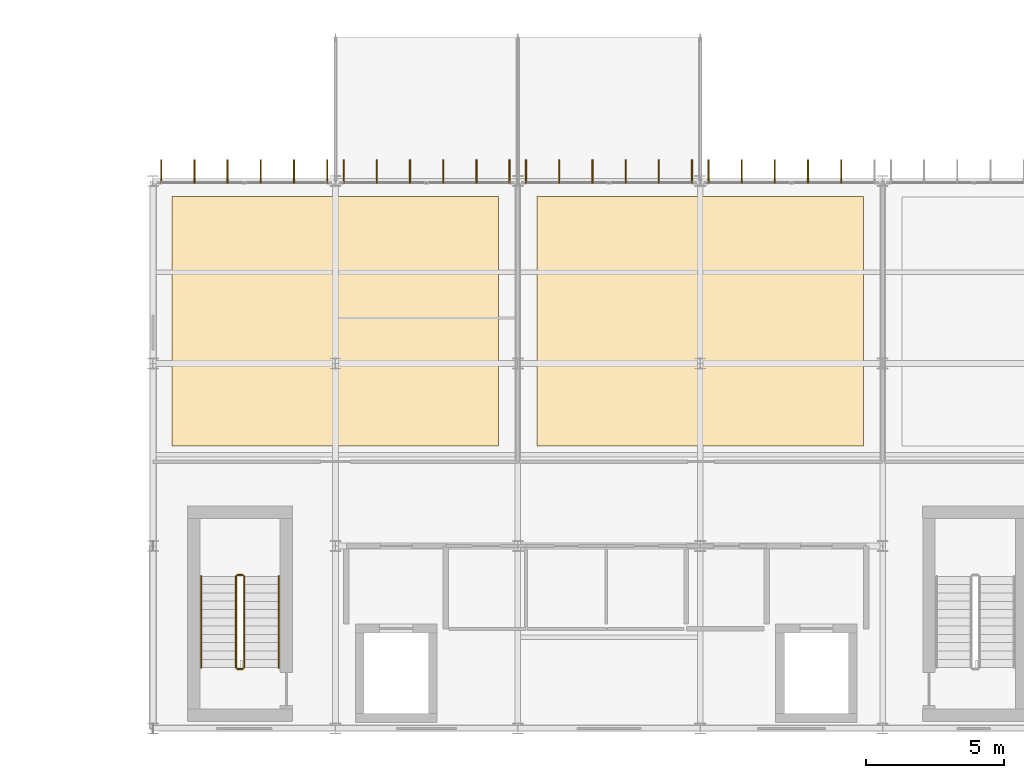
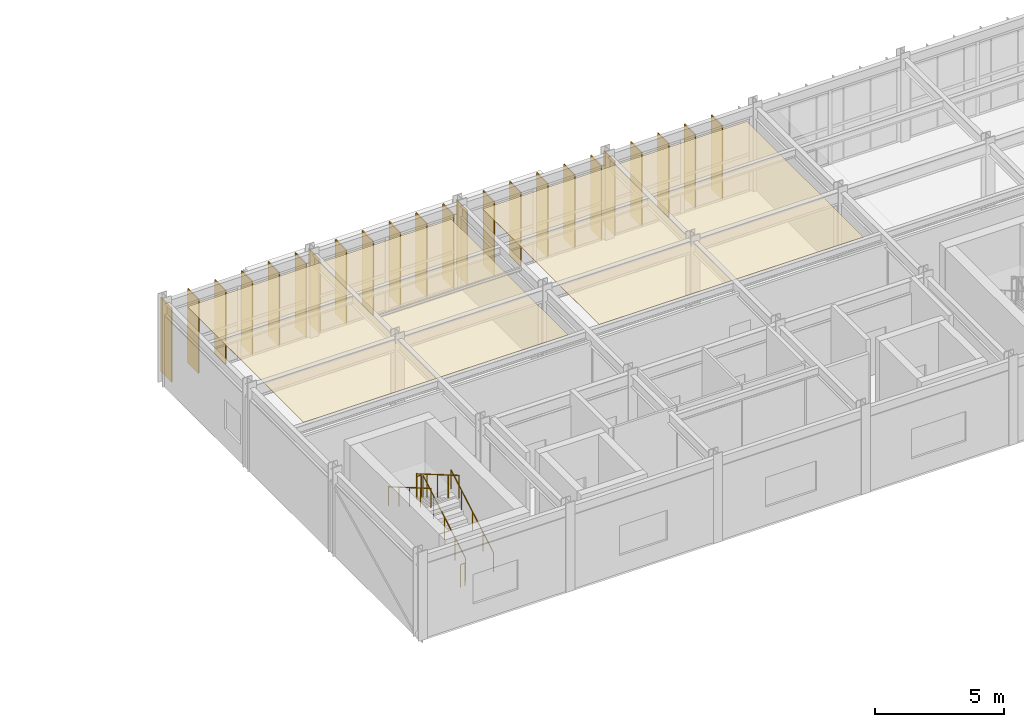
# One storey, part 138 of 148: 23 shading devices, 6 railings, 2 coverings.
"""IFC4 building model written with IfcOpenShell, lengths in metres."""

from ifc_helpers import new_model, si_unit, direction, frame, origin, origin_2d, place, context, subcontext, project, spatial, polyline, rectangle, circle, outline, extrude, material, layer, layer_set, type_object, element, save


model = new_model("IFC4")

# Units and contexts
model_context = context("Model", 3, precision=1e-05, world=origin(), true_north=direction((0.0, 1.0)))
body_context = subcontext(model_context, "Body", "Model", "MODEL_VIEW")
ifc_project = project(units=[si_unit("LENGTHUNIT", "METRE"), si_unit("AREAUNIT", "SQUARE_METRE"), si_unit("VOLUMEUNIT", "CUBIC_METRE"), si_unit("PLANEANGLEUNIT", "RADIAN"), si_unit("MASSUNIT", "GRAM", prefix="KILO")], contexts=[model_context])

# Site, building, storey
site_placement = place(None, origin())
site = spatial("IfcSite", under=ifc_project, at=site_placement, CompositionType="ELEMENT")
building_placement = place(site_placement, origin())
building = spatial("IfcBuilding", under=site, at=building_placement, Name="Karori Crest Natural Sciences Institute", CompositionType="ELEMENT")
storey_placement = place(building_placement, frame((0.0, 0.0, 4.89990234375)))
storey = spatial("IfcBuildingStorey", under=building, at=storey_placement, Name="L01", CompositionType="ELEMENT", Elevation=4.89990234375)

# Coverings
ifc_material_1 = material(Name="Acoustic mineral fibre ceiling tile")
ifc_layer_1 = layer(ifc_material_1, 0.02490234375, Name="Acoustic mineral fibre ceiling tile")
ifc_layer_set_1 = layer_set([ifc_layer_1], Name="Acoustic mineral fibre ceiling tile")
covering_type = type_object("IfcCoveringType", Name="CVT-CEIL", PredefinedType="CEILING", material=ifc_layer_set_1)
covering_1_placement = place(storey_placement, frame((0.0, 0.0, 3.705078125)))
element("IfcCovering", 1, at=covering_1_placement, inside=storey, type_object=covering_type, Name="Acoustic ceiling CLG-0006", PredefinedType="CEILING", context=body_context, shape_type="SweptSolid", body=[
    extrude(outline(polyline([(104.29638671875, 20.03515625), (104.29638671875, 11.014892578125), (116.103759765625, 11.014892578125), (116.103759765625, 20.03515625), (104.29638671875, 20.03515625)])), origin(), (0.0, 0.0, 1.0), 0.02490234375),
])
covering_2_placement = place(storey_placement, frame((0.0, 0.0, 3.705078125)))
element("IfcCovering", 2, at=covering_2_placement, inside=storey, type_object=covering_type, Name="Acoustic ceiling CLG-0007", PredefinedType="CEILING", context=body_context, shape_type="SweptSolid", body=[
    extrude(outline(polyline([(117.496337890625, 20.03515625), (117.496337890625, 11.014892578125), (129.3037109375, 11.014892578125), (129.3037109375, 20.03515625), (117.496337890625, 20.03515625)])), origin(), (0.0, 0.0, 1.0), 0.02490234375),
])

# Railings
ifc_material_2 = material(Name="Stainless steel 316 tubular handrail", Category="steel")
railing_type_1 = type_object("IfcRailingType", Name="RLT-HND", PredefinedType="HANDRAIL", material=ifc_material_2)
railing_1_placement = place(storey_placement, frame((108.14990234375, 3.0, 0.175048828125)))
element("IfcRailing", 3, at=railing_1_placement, inside=storey, type_object=railing_type_1, Name="Stair handrail RL-0109", PredefinedType="HANDRAIL", context=body_context, shape_type="SweptSolid", body=[
    extrude(circle(Radius=0.02392578125, at=origin_2d()), frame((0.0, 0.0, 0.90087890625), z_axis=(0.0, 0.863776583165, 0.503874998761), x_axis=(-1.0, 0.0, 0.0)), (0.0, 0.0, 1.0), 3.820556640625),
    extrude(circle(Radius=0.02099609375, at=origin_2d()), origin(), (0.0, 0.0, 1.0), 0.876953125),
    extrude(circle(Radius=0.02099609375, at=origin_2d()), frame((0.0, 0.824951171875, 0.481201171875)), (0.0, 0.0, 1.0), 0.876953125),
    extrude(circle(Radius=0.02099609375, at=origin_2d()), frame((0.0, 1.64990234375, 0.96240234375)), (0.0, 0.0, 1.0), 0.876953125),
    extrude(circle(Radius=0.02099609375, at=origin_2d()), frame((0.0, 2.47509765625, 1.44384765625)), (0.0, 0.0, 1.0), 0.876953125),
    extrude(circle(Radius=0.02099609375, at=origin_2d()), frame((0.0, 3.300048828125, 1.925048828125)), (0.0, 0.0, 1.0), 0.876953125),
])
railing_2_placement = place(storey_placement, frame((105.35009765625, 6.300048828125, 2.275146484375)))
element("IfcRailing", 4, at=railing_2_placement, inside=storey, type_object=railing_type_1, Name="Stair handrail RL-0110", PredefinedType="HANDRAIL", context=body_context, shape_type="SweptSolid", body=[
    extrude(circle(Radius=0.02392578125, at=origin_2d()), frame((0.0, 0.0, 0.90087890625), z_axis=(0.0, -0.863776583165, 0.503874998761), x_axis=(1.0, 0.0, 0.0)), (0.0, 0.0, 1.0), 3.820556640625),
    extrude(circle(Radius=0.02099609375, at=origin_2d()), origin(), (0.0, 0.0, 1.0), 0.876953125),
    extrude(circle(Radius=0.02099609375, at=origin_2d()), frame((0.0, -0.824951171875, 0.481201171875)), (0.0, 0.0, 1.0), 0.876953125),
    extrude(circle(Radius=0.02099609375, at=origin_2d()), frame((0.0, -1.64990234375, 0.96240234375)), (0.0, 0.0, 1.0), 0.876953125),
    extrude(circle(Radius=0.02099609375, at=origin_2d()), frame((0.0, -2.47509765625, 1.44384765625)), (0.0, 0.0, 1.0), 0.876953125),
    extrude(circle(Radius=0.02099609375, at=origin_2d()), frame((0.0, -3.300048828125, 1.925048828125)), (0.0, 0.0, 1.0), 0.876953125),
])
ifc_material_3 = material(Name="Stainless steel 316 stair guard", Category="steel")
railing_type_2 = type_object("IfcRailingType", Name="RLT-STG", PredefinedType="GUARDRAIL", material=ifc_material_3)
railing_3_placement = place(storey_placement, frame((106.89990234375, 3.0, 0.175048828125)))
element("IfcRailing", 5, at=railing_3_placement, inside=storey, type_object=railing_type_2, Name="Stair guard RL-0105", PredefinedType="GUARDRAIL", context=body_context, shape_type="SweptSolid", body=[
    extrude(circle(Radius=0.02392578125, at=origin_2d()), frame((0.0, 0.0, 1.076171875), z_axis=(0.0, 0.863776583165, 0.503874998761), x_axis=(-1.0, 0.0, 0.0)), (0.0, 0.0, 1.0), 3.820556640625),
    extrude(circle(Radius=0.02099609375, at=origin_2d()), origin(), (0.0, 0.0, 1.0), 1.052001953125),
    extrude(circle(Radius=0.02099609375, at=origin_2d()), frame((0.0, 0.824951171875, 0.481201171875)), (0.0, 0.0, 1.0), 1.052001953125),
    extrude(circle(Radius=0.02099609375, at=origin_2d()), frame((0.0, 1.64990234375, 0.96240234375)), (0.0, 0.0, 1.0), 1.052001953125),
    extrude(circle(Radius=0.02099609375, at=origin_2d()), frame((0.0, 2.47509765625, 1.44384765625)), (0.0, 0.0, 1.0), 1.052001953125),
    extrude(circle(Radius=0.02099609375, at=origin_2d()), frame((0.0, 3.300048828125, 1.925048828125)), (0.0, 0.0, 1.0), 1.052001953125),
])
railing_4_placement = place(storey_placement, frame((106.85009765625, 6.35009765625, 2.10009765625)))
element("IfcRailing", 6, at=railing_4_placement, inside=storey, type_object=railing_type_2, Name="Stair guard RL-0106", PredefinedType="GUARDRAIL", context=body_context, shape_type="SweptSolid", body=[
    extrude(circle(Radius=0.02392578125, at=origin_2d()), frame((0.0, 0.0, 1.076171875), z_axis=(-1.0, 0.0, 0.0), x_axis=(0.0, -1.0, 0.0)), (0.0, 0.0, 1.0), 0.2001953125),
    extrude(circle(Radius=0.02099609375, at=origin_2d()), origin(), (0.0, 0.0, 1.0), 1.052001953125),
    extrude(circle(Radius=0.02099609375, at=origin_2d()), frame((-0.2001953125, 0.0, 0.0)), (0.0, 0.0, 1.0), 1.052001953125),
])
railing_5_placement = place(storey_placement, frame((106.60009765625, 6.300048828125, 2.275146484375)))
element("IfcRailing", 7, at=railing_5_placement, inside=storey, type_object=railing_type_2, Name="Stair guard RL-0107", PredefinedType="GUARDRAIL", context=body_context, shape_type="SweptSolid", body=[
    extrude(circle(Radius=0.02392578125, at=origin_2d()), frame((0.0, 0.0, 1.076171875), z_axis=(0.0, -0.863776583165, 0.503874998761), x_axis=(1.0, 0.0, 0.0)), (0.0, 0.0, 1.0), 3.820556640625),
    extrude(circle(Radius=0.02099609375, at=origin_2d()), origin(), (0.0, 0.0, 1.0), 1.052001953125),
    extrude(circle(Radius=0.02099609375, at=origin_2d()), frame((0.0, -0.824951171875, 0.481201171875)), (0.0, 0.0, 1.0), 1.052001953125),
    extrude(circle(Radius=0.02099609375, at=origin_2d()), frame((0.0, -1.64990234375, 0.96240234375)), (0.0, 0.0, 1.0), 1.052001953125),
    extrude(circle(Radius=0.02099609375, at=origin_2d()), frame((0.0, -2.47509765625, 1.44384765625)), (0.0, 0.0, 1.0), 1.052001953125),
    extrude(circle(Radius=0.02099609375, at=origin_2d()), frame((0.0, -3.300048828125, 1.925048828125)), (0.0, 0.0, 1.0), 1.052001953125),
])
railing_6_placement = place(storey_placement, frame((106.85009765625, 2.949951171875, 0.0)))
element("IfcRailing", 8, at=railing_6_placement, inside=storey, type_object=railing_type_2, Name="Stair guard RL-0108", PredefinedType="GUARDRAIL", context=body_context, shape_type="SweptSolid", body=[
    extrude(circle(Radius=0.02392578125, at=origin_2d()), frame((0.0, 0.0, 1.076171875), z_axis=(-1.0, 0.0, 0.0), x_axis=(0.0, -1.0, 0.0)), (0.0, 0.0, 1.0), 0.2001953125),
    extrude(circle(Radius=0.02099609375, at=origin_2d()), origin(), (0.0, 0.0, 1.0), 1.052001953125),
    extrude(circle(Radius=0.02099609375, at=origin_2d()), frame((-0.2001953125, 0.0, 0.0)), (0.0, 0.0, 1.0), 1.052001953125),
])

# Shading devices
ifc_material_4 = material(Name="Anodised architectural aluminium 6063-T6", Category="aluminium")
ifc_layer_2 = layer(ifc_material_4, 0.044921875, Name="Anodised architectural aluminium 6063-T6")
ifc_layer_set_2 = layer_set([ifc_layer_2], Name="Anodised architectural aluminium 6063-T6")
shading_device_type = type_object("IfcShadingDeviceType", Name="SDT-FIN", PredefinedType="USERDEFINED", material=ifc_layer_set_2)
for number, where, z_axis, x_axis, name in (
    (9, (103.89794921875, 20.949951171875, 0.000244140625), (0.0, 0.0, 1.0), (0.0, 1.0, 0.0), "Vertical solar fin FN-1392"),
    (10, (105.098876953125, 20.949951171875, 0.000244140625), (0.0, 0.0, 1.0), (0.0, 1.0, 0.0), "Vertical solar fin FN-1393"),
    (11, (106.299560546875, 20.949951171875, 0.000244140625), (0.0, 0.0, 1.0), (0.0, 1.0, 0.0), "Vertical solar fin FN-1394"),
    (12, (107.50048828125, 20.949951171875, 0.000244140625), (0.0, 0.0, 1.0), (0.0, 1.0, 0.0), "Vertical solar fin FN-1395"),
    (13, (108.701171875, 20.949951171875, 0.000244140625), (0.0, 0.0, 1.0), (0.0, 1.0, 0.0), "Vertical solar fin FN-1396"),
    (14, (109.902099609375, 20.949951171875, 0.000244140625), (0.0, 0.0, 1.0), (0.0, 1.0, 0.0), "Vertical solar fin FN-1397"),
    (15, (110.498046875, 20.949951171875, 0.000244140625), (0.0, 0.0, 1.0), (0.0, 1.0, 0.0), "Vertical solar fin FN-1398"),
    (16, (111.69873046875, 20.949951171875, 0.000244140625), (0.0, 0.0, 1.0), (0.0, 1.0, 0.0), "Vertical solar fin FN-1399"),
    (17, (112.899658203125, 20.949951171875, 0.000244140625), (0.0, 0.0, 1.0), (0.0, 1.0, 0.0), "Vertical solar fin FN-1400"),
    (18, (114.100341796875, 20.949951171875, 0.000244140625), (0.0, 0.0, 1.0), (0.0, 1.0, 0.0), "Vertical solar fin FN-1401"),
    (19, (115.30126953125, 20.949951171875, 0.000244140625), (0.0, 0.0, 1.0), (0.0, 1.0, 0.0), "Vertical solar fin FN-1402"),
    (20, (116.501953125, 20.949951171875, 0.000244140625), (0.0, 0.0, 1.0), (0.0, 1.0, 0.0), "Vertical solar fin FN-1403"),
    (21, (117.097900390625, 20.949951171875, 0.000244140625), (0.0, 0.0, 1.0), (0.0, 1.0, 0.0), "Vertical solar fin FN-1404"),
    (22, (118.298828125, 20.949951171875, 0.000244140625), (0.0, 0.0, 1.0), (0.0, 1.0, 0.0), "Vertical solar fin FN-1405"),
    (23, (119.49951171875, 20.949951171875, 0.000244140625), (0.0, 0.0, 1.0), (0.0, 1.0, 0.0), "Vertical solar fin FN-1406"),
    (24, (120.700439453125, 20.949951171875, 0.000244140625), (0.0, 0.0, 1.0), (0.0, 1.0, 0.0), "Vertical solar fin FN-1407"),
    (25, (121.901123046875, 20.949951171875, 0.000244140625), (0.0, 0.0, 1.0), (0.0, 1.0, 0.0), "Vertical solar fin FN-1408"),
    (26, (123.10205078125, 20.949951171875, 0.000244140625), (0.0, 0.0, 1.0), (0.0, 1.0, 0.0), "Vertical solar fin FN-1409"),
    (27, (123.697998046875, 20.949951171875, 0.000244140625), (0.0, 0.0, 1.0), (0.0, 1.0, 0.0), "Vertical solar fin FN-1410"),
    (28, (124.898681640625, 20.949951171875, 0.000244140625), (0.0, 0.0, 1.0), (0.0, 1.0, 0.0), "Vertical solar fin FN-1411"),
    (29, (126.099609375, 20.949951171875, 0.000244140625), (0.0, 0.0, 1.0), (0.0, 1.0, 0.0), "Vertical solar fin FN-1412"),
    (30, (127.30029296875, 20.949951171875, 0.000244140625), (0.0, 0.0, 1.0), (0.0, 1.0, 0.0), "Vertical solar fin FN-1413"),
    (31, (128.501220703125, 20.949951171875, 0.000244140625), (0.0, 0.0, 1.0), (0.0, 1.0, 0.0), "Vertical solar fin FN-1414"),
):
    element("IfcShadingDevice", number, at=place(storey_placement, frame(where, z_axis=z_axis, x_axis=x_axis)), inside=storey, type_object=shading_device_type, Name=name, ObjectType="SOLAR_FIN", PredefinedType="USERDEFINED", context=body_context, shape_type="SweptSolid", body=[
        extrude(rectangle(XDim=0.85009765625, YDim=0.044921875, at=origin_2d()), origin(), (0.0, 0.0, 1.0), 3.5048828125),
    ])

save(model, "model.ifc")
